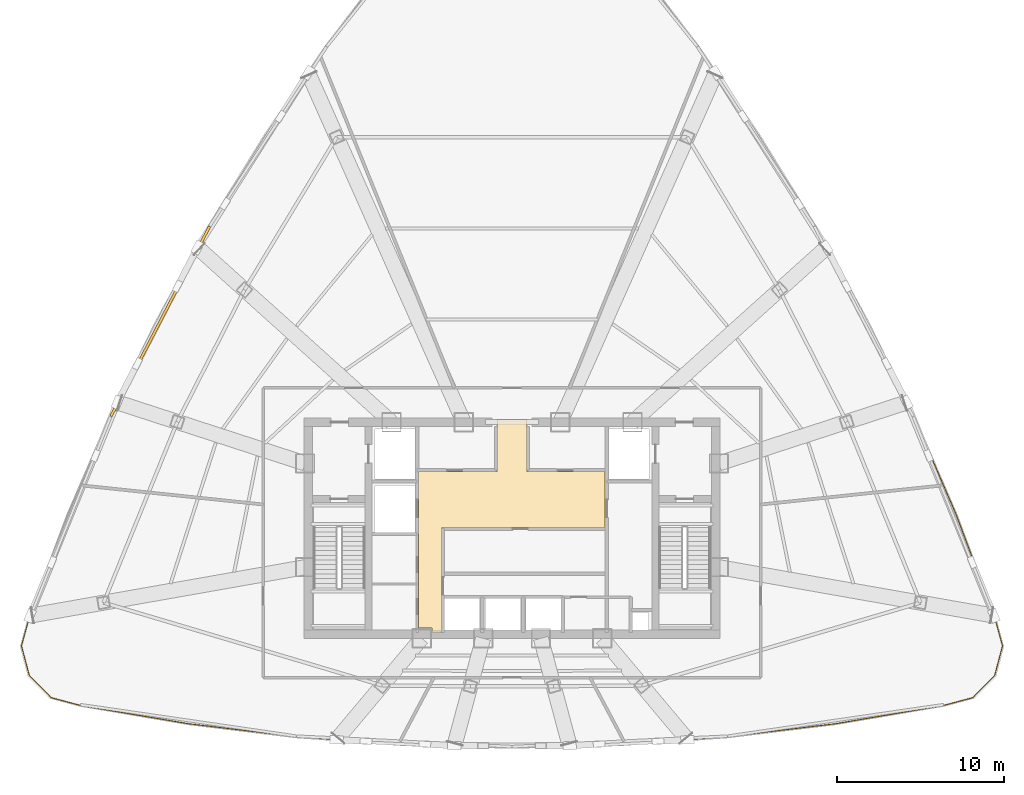
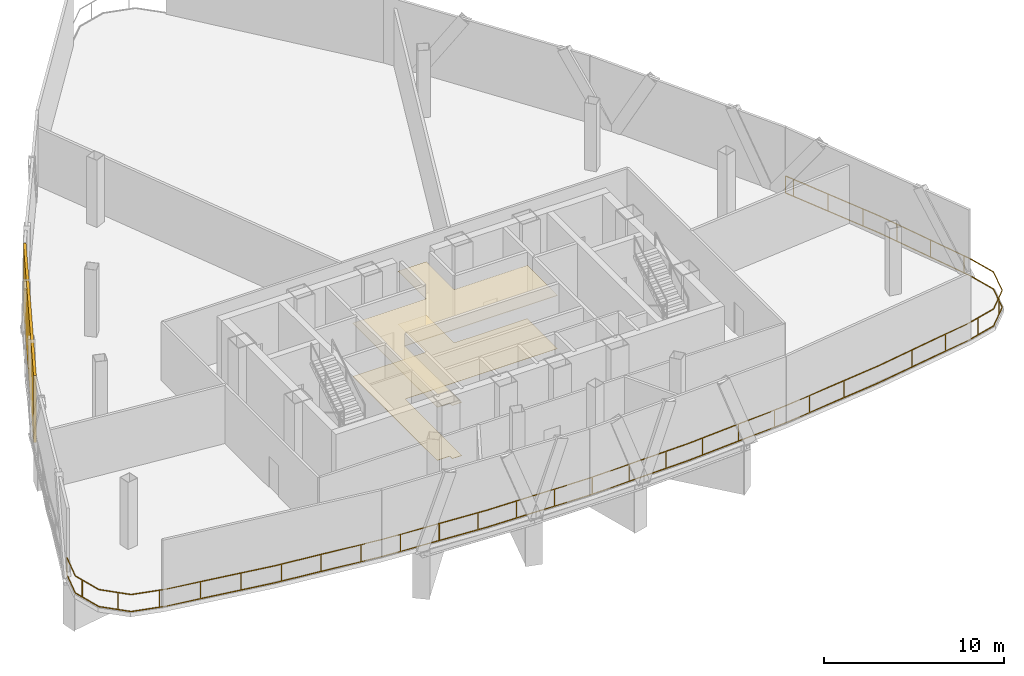
# One storey, part 9 of 12: 2 coverings, 1 railing, 1 shading device.
"""IFC4 building model written with IfcOpenShell, lengths in metres."""

from ifc_helpers import new_model, si_unit, direction, frame, origin, origin_2d, place, context, subcontext, project, spatial, polyline, rectangle, outline, extrude, source, transform, mapped, material, layer, layer_set, type_object, element, save


model = new_model("IFC4")

# Units and contexts
model_context = context("Model", 3, precision=1e-05, world=origin(), true_north=direction((0.0, 1.0)))
body_context = subcontext(model_context, "Body", "Model", "MODEL_VIEW")
ifc_project = project(units=[si_unit("LENGTHUNIT", "METRE"), si_unit("AREAUNIT", "SQUARE_METRE"), si_unit("VOLUMEUNIT", "CUBIC_METRE"), si_unit("PLANEANGLEUNIT", "RADIAN"), si_unit("MASSUNIT", "GRAM", prefix="KILO"), si_unit("THERMODYNAMICTEMPERATUREUNIT", "KELVIN"), si_unit("POWERUNIT", "WATT")], contexts=[model_context])

# Site, building, storey
site_placement = place(None, origin())
site = spatial("IfcSite", under=ifc_project, at=site_placement, CompositionType="ELEMENT")
building_placement = place(site_placement, origin())
building = spatial("IfcBuilding", under=site, at=building_placement, Name="Yunzhuo Pagoda Commons", CompositionType="ELEMENT")
storey_placement = place(building_placement, frame((0.0, 0.0, 320.7099609375)))
storey = spatial("IfcBuildingStorey", under=building, at=storey_placement, Name="L80", CompositionType="ELEMENT", Elevation=320.7099609375)

# Coverings
ifc_material_1 = material(Name="Micro-perforated metal baffle ceiling")
ifc_layer_1 = layer(ifc_material_1, 0.034912109375)
ifc_layer_set_1 = layer_set([ifc_layer_1], Name="Micro-perforated metal baffle ceiling")
covering_type_1 = type_object("IfcCoveringType", Name="COV-CL3 Ceiling 35", PredefinedType="CEILING", material=ifc_layer_set_1)
covering_1_placement = place(storey_placement, frame((0.0, 0.0, 3.590087890625)))
element("IfcCovering", 1, at=covering_1_placement, inside=storey, type_object=covering_type_1, Name="L80 lift lobby acoustic ceiling", PredefinedType="CEILING", context=body_context, shape_type="SweptSolid", body=[
    extrude(outline(polyline([(43.207763671875, 27.85009765625), (43.201904296875, 27.864013671875), (43.187744140625, 27.8701171875), (42.39990234375, 27.8701171875), (42.39990234375, 33.89990234375), (42.39990234375, 37.25), (47.10009765625, 37.25), (47.10009765625, 40.35009765625), (48.89990234375, 40.35009765625), (48.89990234375, 37.25), (53.580078125, 37.25), (53.580078125, 33.89990234375), (43.820068359375, 33.89990234375), (43.820068359375, 27.60009765625), (43.207763671875, 27.60009765625), (43.207763671875, 27.85009765625)])), origin(), (0.0, 0.0, 1.0), 0.034912109375),
])
ifc_material_2 = material(Name="Resilient acoustic studio flooring")
ifc_layer_2 = layer(ifc_material_2, 0.01806640625)
ifc_layer_set_2 = layer_set([ifc_layer_2], Name="Resilient acoustic studio flooring")
covering_type_2 = type_object("IfcCoveringType", Name="COV-FL3 Flooring 18", PredefinedType="FLOORING", material=ifc_layer_set_2)
covering_2_placement = place(storey_placement, origin())
element("IfcCovering", 2, at=covering_2_placement, inside=storey, type_object=covering_type_2, Name="L80 lift lobby flooring", PredefinedType="FLOORING", context=body_context, shape_type="SweptSolid", body=[
    extrude(outline(polyline([(43.207763671875, 27.85009765625), (43.201904296875, 27.864013671875), (43.187744140625, 27.8701171875), (42.39990234375, 27.8701171875), (42.39990234375, 33.89990234375), (42.39990234375, 37.25), (47.10009765625, 37.25), (47.10009765625, 40.35009765625), (48.89990234375, 40.35009765625), (48.89990234375, 37.25), (53.580078125, 37.25), (53.580078125, 33.89990234375), (43.820068359375, 33.89990234375), (43.820068359375, 27.60009765625), (43.207763671875, 27.60009765625), (43.207763671875, 27.85009765625)])), origin(), (0.0, 0.0, 1.0), 0.01806640625),
])

# Railing
ifc_material_3 = material(Name="Anodized aluminium 6063-T6", Category="aluminium")
railing_type = type_object("IfcRailingType", Name="RL-PRT1 Wind Portal & Refuge Guardrail 1200", PredefinedType="GUARDRAIL", material=ifc_material_3)
railing_placement = place(storey_placement, frame((19.097900390625, 28.585205078125, 0.0)))
element("IfcRailing", 3, at=railing_placement, inside=storey, type_object=railing_type, Name="L80 refuge perimeter guardrail A", PredefinedType="GUARDRAIL", context=body_context, shape_type="SweptSolid", body=[
    extrude(rectangle(XDim=0.048095703125, YDim=0.048095703125, at=origin_2d()), frame((0.0, 0.0, 1.17578125), z_axis=(-0.264241854283, -0.964456449222, 0.0), x_axis=(0.964456449222, -0.264241854283, 0.0)), (0.0, 0.0, 1.0), 1.855224609375),
    extrude(rectangle(XDim=0.048095703125, YDim=0.048095703125, at=origin_2d()), frame((0.0, 0.0, 0.02392578125), z_axis=(-0.264241854283, -0.964456449222, 0.0), x_axis=(0.964456449222, -0.264241854283, 0.0)), (0.0, 0.0, 1.0), 1.855224609375),
    extrude(rectangle(XDim=0.048095703125, YDim=0.048095703125, at=origin_2d()), frame((-0.490234375, -1.789306640625, 1.17578125), z_axis=(0.255226118627, -0.966881393125, 0.0), x_axis=(0.966881393125, 0.255226118627, 0.0)), (0.0, 0.0, 1.0), 1.852783203125),
    extrude(rectangle(XDim=0.048095703125, YDim=0.048095703125, at=origin_2d()), frame((-0.490234375, -1.789306640625, 0.02392578125), z_axis=(0.255226118627, -0.966881393125, 0.0), x_axis=(0.966881393125, 0.255226118627, 0.0)), (0.0, 0.0, 1.0), 1.852783203125),
    extrude(rectangle(XDim=0.048095703125, YDim=0.048095703125, at=origin_2d()), frame((-0.017333984375, -3.580810546875, 1.17578125), z_axis=(0.706381713047, -0.707831106601, 0.0), x_axis=(0.707831106601, 0.706381713047, 0.0)), (0.0, 0.0, 1.0), 1.852783203125),
    extrude(rectangle(XDim=0.048095703125, YDim=0.048095703125, at=origin_2d()), frame((-0.017333984375, -3.580810546875, 0.02392578125), z_axis=(0.706381713047, -0.707831106601, 0.0), x_axis=(0.707831106601, 0.706381713047, 0.0)), (0.0, 0.0, 1.0), 1.852783203125),
    extrude(rectangle(XDim=0.048095703125, YDim=0.048095703125, at=origin_2d()), frame((1.29150390625, -4.892333984375, 1.17578125), z_axis=(0.96615625567, -0.257957534547, 0.0), x_axis=(0.257957534547, 0.96615625567, 0.0)), (0.0, 0.0, 1.0), 1.85498046875),
    extrude(rectangle(XDim=0.048095703125, YDim=0.048095703125, at=origin_2d()), frame((1.29150390625, -4.892333984375, 0.02392578125), z_axis=(0.96615625567, -0.257957534547, 0.0), x_axis=(0.257957534547, 0.96615625567, 0.0)), (0.0, 0.0, 1.0), 1.85498046875),
    extrude(rectangle(XDim=0.048095703125, YDim=0.048095703125, at=origin_2d()), frame((3.083740234375, -5.370849609375, 1.17578125), z_axis=(0.986083164959, -0.166252794817, 0.0), x_axis=(0.166252794817, 0.986083164959, 0.0)), (0.0, 0.0, 1.0), 6.555419921875),
    extrude(rectangle(XDim=0.048095703125, YDim=0.048095703125, at=origin_2d()), frame((3.083740234375, -5.370849609375, 0.02392578125), z_axis=(0.986083164959, -0.166252794817, 0.0), x_axis=(0.166252794817, 0.986083164959, 0.0)), (0.0, 0.0, 1.0), 6.555419921875),
    extrude(rectangle(XDim=0.048095703125, YDim=0.048095703125, at=origin_2d()), frame((9.5478515625, -6.460693359375, 1.17578125), z_axis=(0.992887313386, -0.11905789733, 0.0), x_axis=(0.11905789733, 0.992887313386, 0.0)), (0.0, 0.0, 1.0), 6.50439453125),
    extrude(rectangle(XDim=0.048095703125, YDim=0.048095703125, at=origin_2d()), frame((9.5478515625, -6.460693359375, 0.02392578125), z_axis=(0.992887313386, -0.11905789733, 0.0), x_axis=(0.11905789733, 0.992887313386, 0.0)), (0.0, 0.0, 1.0), 6.50439453125),
    extrude(rectangle(XDim=0.048095703125, YDim=0.048095703125, at=origin_2d()), frame((16.006103515625, -7.235107421875, 1.17578125), z_axis=(0.997454290624, -0.071308752034, 0.0), x_axis=(0.071308752034, 0.997454290624, 0.0)), (0.0, 0.0, 1.0), 6.46728515625),
    extrude(rectangle(XDim=0.048095703125, YDim=0.048095703125, at=origin_2d()), frame((16.006103515625, -7.235107421875, 0.02392578125), z_axis=(0.997454290624, -0.071308752034, 0.0), x_axis=(0.071308752034, 0.997454290624, 0.0)), (0.0, 0.0, 1.0), 6.46728515625),
    extrude(rectangle(XDim=0.048095703125, YDim=0.048095703125, at=origin_2d()), frame((22.45703125, -7.6962890625, 1.17578125), z_axis=(0.999717167013, -0.023782051626, 0.0), x_axis=(0.023782051626, 0.999717167013, 0.0)), (0.0, 0.0, 1.0), 6.44677734375),
    extrude(rectangle(XDim=0.048095703125, YDim=0.048095703125, at=origin_2d()), frame((22.45703125, -7.6962890625, 0.02392578125), z_axis=(0.999717167013, -0.023782051626, 0.0), x_axis=(0.023782051626, 0.999717167013, 0.0)), (0.0, 0.0, 1.0), 6.44677734375),
    extrude(rectangle(XDim=0.048095703125, YDim=0.048095703125, at=origin_2d()), frame((28.902099609375, -7.849609375, 1.17578125), z_axis=(0.999717167013, 0.023782051626, 0.0), x_axis=(-0.023782051626, 0.999717167013, 0.0)), (0.0, 0.0, 1.0), 6.44677734375),
    extrude(rectangle(XDim=0.048095703125, YDim=0.048095703125, at=origin_2d()), frame((28.902099609375, -7.849609375, 0.02392578125), z_axis=(0.999717167013, 0.023782051626, 0.0), x_axis=(-0.023782051626, 0.999717167013, 0.0)), (0.0, 0.0, 1.0), 6.44677734375),
    extrude(rectangle(XDim=0.048095703125, YDim=0.048095703125, at=origin_2d()), frame((35.34716796875, -7.6962890625, 1.17578125), z_axis=(0.997454290624, 0.071308752034, 0.0), x_axis=(-0.071308752034, 0.997454290624, 0.0)), (0.0, 0.0, 1.0), 6.46728515625),
    extrude(rectangle(XDim=0.048095703125, YDim=0.048095703125, at=origin_2d()), frame((35.34716796875, -7.6962890625, 0.02392578125), z_axis=(0.997454290624, 0.071308752034, 0.0), x_axis=(-0.071308752034, 0.997454290624, 0.0)), (0.0, 0.0, 1.0), 6.46728515625),
    extrude(rectangle(XDim=0.048095703125, YDim=0.048095703125, at=origin_2d()), frame((41.798095703125, -7.235107421875, 1.17578125), z_axis=(0.992887313386, 0.11905789733, 0.0), x_axis=(-0.11905789733, 0.992887313386, 0.0)), (0.0, 0.0, 1.0), 6.50439453125),
    extrude(rectangle(XDim=0.048095703125, YDim=0.048095703125, at=origin_2d()), frame((41.798095703125, -7.235107421875, 0.02392578125), z_axis=(0.992887313386, 0.11905789733, 0.0), x_axis=(-0.11905789733, 0.992887313386, 0.0)), (0.0, 0.0, 1.0), 6.50439453125),
    extrude(rectangle(XDim=0.048095703125, YDim=0.048095703125, at=origin_2d()), frame((48.25634765625, -6.460693359375, 1.17578125), z_axis=(0.986083164959, 0.166252794817, 0.0), x_axis=(-0.166252794817, 0.986083164959, 0.0)), (0.0, 0.0, 1.0), 6.555419921875),
    extrude(rectangle(XDim=0.048095703125, YDim=0.048095703125, at=origin_2d()), frame((48.25634765625, -6.460693359375, 0.02392578125), z_axis=(0.986083164959, 0.166252794817, 0.0), x_axis=(-0.166252794817, 0.986083164959, 0.0)), (0.0, 0.0, 1.0), 6.555419921875),
    extrude(rectangle(XDim=0.048095703125, YDim=0.048095703125, at=origin_2d()), frame((54.720458984375, -5.370849609375, 1.17578125), z_axis=(0.96615625567, 0.257957534547, 0.0), x_axis=(-0.257957534547, 0.96615625567, 0.0)), (0.0, 0.0, 1.0), 1.85498046875),
    extrude(rectangle(XDim=0.048095703125, YDim=0.048095703125, at=origin_2d()), frame((54.720458984375, -5.370849609375, 0.02392578125), z_axis=(0.96615625567, 0.257957534547, 0.0), x_axis=(-0.257957534547, 0.96615625567, 0.0)), (0.0, 0.0, 1.0), 1.85498046875),
    extrude(rectangle(XDim=0.048095703125, YDim=0.048095703125, at=origin_2d()), frame((56.5126953125, -4.892333984375, 1.17578125), z_axis=(0.706381713047, 0.707831106601, 0.0), x_axis=(-0.707831106601, 0.706381713047, 0.0)), (0.0, 0.0, 1.0), 1.852783203125),
    extrude(rectangle(XDim=0.048095703125, YDim=0.048095703125, at=origin_2d()), frame((56.5126953125, -4.892333984375, 0.02392578125), z_axis=(0.706381713047, 0.707831106601, 0.0), x_axis=(-0.707831106601, 0.706381713047, 0.0)), (0.0, 0.0, 1.0), 1.852783203125),
    extrude(rectangle(XDim=0.048095703125, YDim=0.048095703125, at=origin_2d()), frame((57.821533203125, -3.580810546875, 1.17578125), z_axis=(0.255226118627, 0.966881393125, 0.0), x_axis=(-0.966881393125, 0.255226118627, 0.0)), (0.0, 0.0, 1.0), 1.852783203125),
    extrude(rectangle(XDim=0.048095703125, YDim=0.048095703125, at=origin_2d()), frame((57.821533203125, -3.580810546875, 0.02392578125), z_axis=(0.255226118627, 0.966881393125, 0.0), x_axis=(-0.966881393125, 0.255226118627, 0.0)), (0.0, 0.0, 1.0), 1.852783203125),
    extrude(rectangle(XDim=0.048095703125, YDim=0.048095703125, at=origin_2d()), frame((58.29443359375, -1.789306640625, 1.17578125), z_axis=(-0.264241854283, 0.964456449222, 0.0), x_axis=(-0.964456449222, -0.264241854283, 0.0)), (0.0, 0.0, 1.0), 1.855224609375),
    extrude(rectangle(XDim=0.048095703125, YDim=0.048095703125, at=origin_2d()), frame((58.29443359375, -1.789306640625, 0.02392578125), z_axis=(-0.264241854283, 0.964456449222, 0.0), x_axis=(-0.964456449222, -0.264241854283, 0.0)), (0.0, 0.0, 1.0), 1.855224609375),
    extrude(rectangle(XDim=0.048095703125, YDim=0.048095703125, at=origin_2d()), frame((57.80419921875, 0.0, 1.17578125), z_axis=(-0.352262832836, 0.935901114757, 0.0), x_axis=(-0.935901114757, -0.352262832836, 0.0)), (0.0, 0.0, 1.0), 6.5029296875),
    extrude(rectangle(XDim=0.048095703125, YDim=0.048095703125, at=origin_2d()), frame((57.80419921875, 0.0, 0.02392578125), z_axis=(-0.352262832836, 0.935901114757, 0.0), x_axis=(-0.935901114757, -0.352262832836, 0.0)), (0.0, 0.0, 1.0), 6.5029296875),
    extrude(rectangle(XDim=0.048095703125, YDim=0.048095703125, at=origin_2d()), frame((55.513427734375, 6.086181640625, 1.17578125), z_axis=(-0.396831020924, 0.917891682516, 0.0), x_axis=(-0.917891682516, -0.396831020924, 0.0)), (0.0, 0.0, 1.0), 6.451904296875),
    extrude(rectangle(XDim=0.048095703125, YDim=0.048095703125, at=origin_2d()), frame((55.513427734375, 6.086181640625, 0.02392578125), z_axis=(-0.396831020924, 0.917891682516, 0.0), x_axis=(-0.917891682516, -0.396831020924, 0.0)), (0.0, 0.0, 1.0), 6.451904296875),
    extrude(rectangle(XDim=0.0419921875, YDim=0.0419921875, at=origin_2d()), origin(), (0.0, 0.0, 1.0), 1.15185546875),
    extrude(rectangle(XDim=0.0419921875, YDim=0.0419921875, at=origin_2d()), frame((-0.351318359375, -2.31591796875, 0.0)), (0.0, 0.0, 1.0), 1.15185546875),
    extrude(rectangle(XDim=0.0419921875, YDim=0.0419921875, at=origin_2d()), frame((0.75390625, -4.353759765625, 0.0)), (0.0, 0.0, 1.0), 1.15185546875),
    extrude(rectangle(XDim=0.0419921875, YDim=0.0419921875, at=origin_2d()), frame((2.875, -5.315185546875, 0.0)), (0.0, 0.0, 1.0), 1.15185546875),
    extrude(rectangle(XDim=0.0419921875, YDim=0.0419921875, at=origin_2d()), frame((5.2373046875, -5.73388671875, 0.0)), (0.0, 0.0, 1.0), 1.15185546875),
    extrude(rectangle(XDim=0.0419921875, YDim=0.0419921875, at=origin_2d()), frame((7.60400390625, -6.133056640625, 0.0)), (0.0, 0.0, 1.0), 1.15185546875),
    extrude(rectangle(XDim=0.0419921875, YDim=0.0419921875, at=origin_2d()), frame((9.973388671875, -6.51171875, 0.0)), (0.0, 0.0, 1.0), 1.15185546875),
    extrude(rectangle(XDim=0.0419921875, YDim=0.0419921875, at=origin_2d()), frame((12.3564453125, -6.79736328125, 0.0)), (0.0, 0.0, 1.0), 1.15185546875),
    extrude(rectangle(XDim=0.0419921875, YDim=0.0419921875, at=origin_2d()), frame((14.7392578125, -7.083251953125, 0.0)), (0.0, 0.0, 1.0), 1.15185546875),
    extrude(rectangle(XDim=0.0419921875, YDim=0.0419921875, at=origin_2d()), frame((17.12744140625, -7.315185546875, 0.0)), (0.0, 0.0, 1.0), 1.15185546875),
    extrude(rectangle(XDim=0.0419921875, YDim=0.0419921875, at=origin_2d()), frame((19.521240234375, -7.486328125, 0.0)), (0.0, 0.0, 1.0), 1.15185546875),
    extrude(rectangle(XDim=0.0419921875, YDim=0.0419921875, at=origin_2d()), frame((21.9150390625, -7.657470703125, 0.0)), (0.0, 0.0, 1.0), 1.15185546875),
    extrude(rectangle(XDim=0.0419921875, YDim=0.0419921875, at=origin_2d()), frame((24.313232421875, -7.740478515625, 0.0)), (0.0, 0.0, 1.0), 1.15185546875),
    extrude(rectangle(XDim=0.0419921875, YDim=0.0419921875, at=origin_2d()), frame((26.712646484375, -7.797607421875, 0.0)), (0.0, 0.0, 1.0), 1.15185546875),
    extrude(rectangle(XDim=0.0419921875, YDim=0.0419921875, at=origin_2d()), frame((29.11181640625, -7.8447265625, 0.0)), (0.0, 0.0, 1.0), 1.15185546875),
    extrude(rectangle(XDim=0.0419921875, YDim=0.0419921875, at=origin_2d()), frame((31.51123046875, -7.78759765625, 0.0)), (0.0, 0.0, 1.0), 1.15185546875),
    extrude(rectangle(XDim=0.0419921875, YDim=0.0419921875, at=origin_2d()), frame((33.91064453125, -7.73046875, 0.0)), (0.0, 0.0, 1.0), 1.15185546875),
    extrude(rectangle(XDim=0.0419921875, YDim=0.0419921875, at=origin_2d()), frame((36.3076171875, -7.627685546875, 0.0)), (0.0, 0.0, 1.0), 1.15185546875),
    extrude(rectangle(XDim=0.0419921875, YDim=0.0419921875, at=origin_2d()), frame((38.70166015625, -7.45654296875, 0.0)), (0.0, 0.0, 1.0), 1.15185546875),
    extrude(rectangle(XDim=0.0419921875, YDim=0.0419921875, at=origin_2d()), frame((41.095458984375, -7.285400390625, 0.0)), (0.0, 0.0, 1.0), 1.15185546875),
    extrude(rectangle(XDim=0.0419921875, YDim=0.0419921875, at=origin_2d()), frame((43.481689453125, -7.033203125, 0.0)), (0.0, 0.0, 1.0), 1.15185546875),
    extrude(rectangle(XDim=0.0419921875, YDim=0.0419921875, at=origin_2d()), frame((45.864501953125, -6.74755859375, 0.0)), (0.0, 0.0, 1.0), 1.15185546875),
    extrude(rectangle(XDim=0.0419921875, YDim=0.0419921875, at=origin_2d()), frame((50.614013671875, -6.063232421875, 0.0)), (0.0, 0.0, 1.0), 1.15185546875),
    extrude(rectangle(XDim=0.0419921875, YDim=0.0419921875, at=origin_2d()), frame((52.980712890625, -5.6640625, 0.0)), (0.0, 0.0, 1.0), 1.15185546875),
    extrude(rectangle(XDim=0.0419921875, YDim=0.0419921875, at=origin_2d()), frame((55.334716796875, -5.206787109375, 0.0)), (0.0, 0.0, 1.0), 1.15185546875),
    extrude(rectangle(XDim=0.0419921875, YDim=0.0419921875, at=origin_2d()), frame((57.3466796875, -4.056640625, 0.0)), (0.0, 0.0, 1.0), 1.15185546875),
    extrude(rectangle(XDim=0.0419921875, YDim=0.0419921875, at=origin_2d()), frame((57.65625, 0.392822265625, 0.0)), (0.0, 0.0, 1.0), 1.15185546875),
    extrude(rectangle(XDim=0.0419921875, YDim=0.0419921875, at=origin_2d()), frame((56.81103515625, 2.638916015625, 0.0)), (0.0, 0.0, 1.0), 1.15185546875),
    extrude(rectangle(XDim=0.0419921875, YDim=0.0419921875, at=origin_2d()), frame((55.965576171875, 4.885009765625, 0.0)), (0.0, 0.0, 1.0), 1.15185546875),
    extrude(rectangle(XDim=0.0419921875, YDim=0.0419921875, at=origin_2d()), frame((55.0703125, 7.111083984375, 0.0)), (0.0, 0.0, 1.0), 1.15185546875),
    extrude(rectangle(XDim=0.0419921875, YDim=0.0419921875, at=origin_2d()), frame((54.117919921875, 9.314208984375, 0.0)), (0.0, 0.0, 1.0), 1.15185546875),
    extrude(rectangle(XDim=0.0419921875, YDim=0.0419921875, at=origin_2d()), frame((53.16552734375, 11.51708984375, 0.0)), (0.0, 0.0, 1.0), 1.15185546875),
    extrude(rectangle(XDim=0.0419921875, YDim=0.0419921875, at=origin_2d()), frame((52.953125, 12.00830078125, 0.0)), (0.0, 0.0, 1.0), 1.15185546875),
])

# Shading device
ifc_layer_3 = layer(ifc_material_3, 0.159912109375)
ifc_layer_set_3 = layer_set([ifc_layer_3], Name="Anodized aluminium 6063-T6")
shading_device_type = type_object("IfcShadingDeviceType", Name="SH-SCR1 Stormproof Refuge Louvre Screen", PredefinedType="JALOUSIE", material=ifc_layer_set_3)
shared_shape = source(origin(), body_context, "Body", "SweptSolid", [
    extrude(rectangle(XDim=12.8193359375, YDim=0.159912109375, at=origin_2d()), origin(), (0.0, 0.0, 1.0), 4.5400390625),
])
shading_device_placement = place(storey_placement, frame((26.9208984375, 46.2392578125, 0.0), z_axis=(0.0, 0.0, 1.0), x_axis=(-0.461206683033, -0.88729273384, 0.0)))
element("IfcShadingDevice", 4, at=shading_device_placement, inside=storey, type_object=shading_device_type, Name="L80 stormproof refuge louvre screen F3.3", PredefinedType="JALOUSIE", context=body_context, shape_type="MappedRepresentation", body=[
    mapped(shared_shape, transform((0.0, 0.0, 0.0), scale=1.0)),
])

save(model, "model.ifc")
